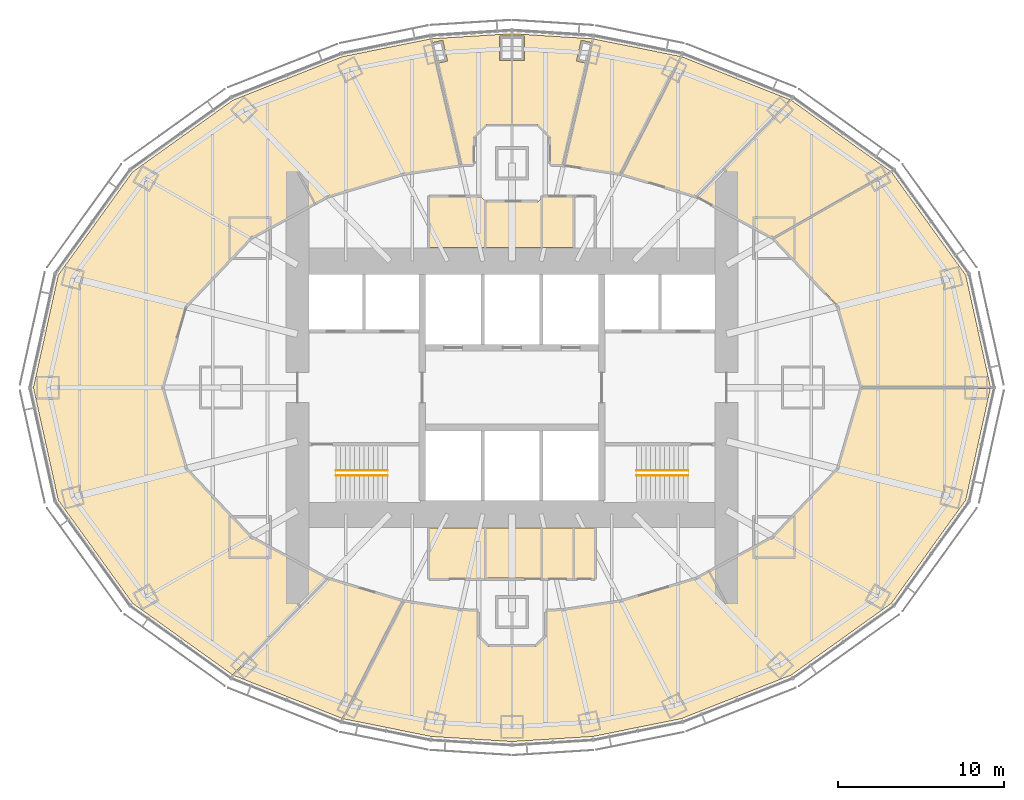
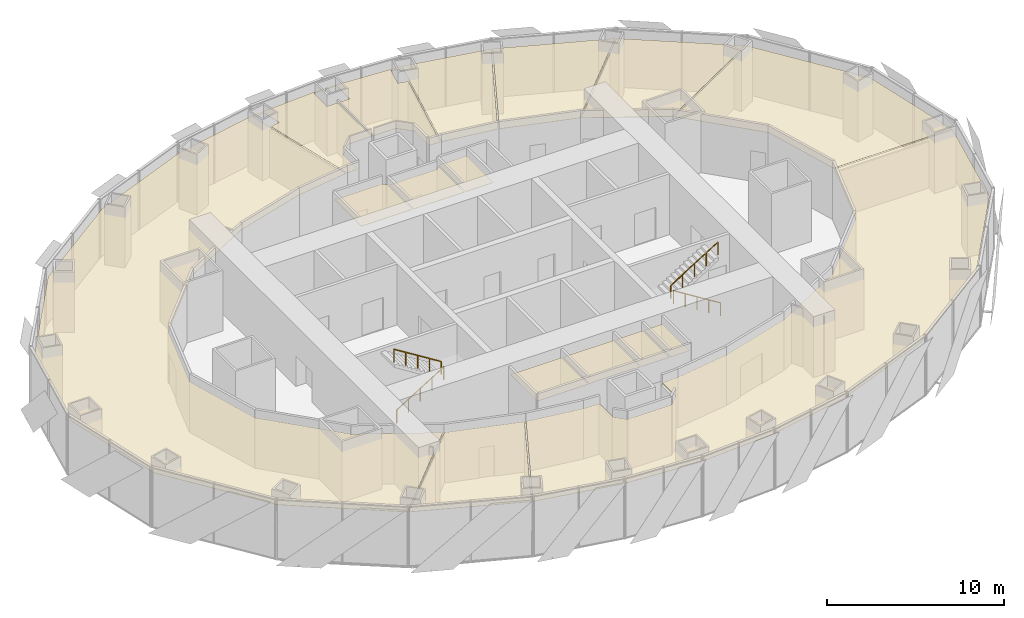
# One storey, part 18 of 18: 16 coverings, 4 railings.
"""IFC4 building model written with IfcOpenShell, lengths in metres."""

import ifcopenshell
import ifcopenshell.guid

model = None  # the IFC model being written
_history = None  # IfcOwnerHistory: only IFC2X3 demands one
_inside = {}  # id of a spatial element -> (the spatial element, [elements in it])
_under = {}  # id of a project, library or spatial element -> (it, [spatial elements below it])
_declared = {}  # id of a project -> (the project, [libraries it declares])
_typed = {}  # id of a type object -> (the type object, [elements of that type])
_made_of = {}  # id of a material, layer set ... -> (it, [elements and type objects made of it])


def new_model(schema):
    """Start an empty IFC model of exactly this schema.

    Asked for "IFC4X3", IfcOpenShell would pick the latest addendum, in which some entities
    have other attributes; the version numbers below select the first issue.
    IFC2X3 requires an IfcOwnerHistory on every rooted entity: one is made here for all.
    """
    global model, _history
    if schema == "IFC4X3":
        model = ifcopenshell.file(schema_version=(4, 3, 0, 0))
    else:
        model = ifcopenshell.file(schema=schema)
    _inside.clear()
    _under.clear()
    _declared.clear()
    _typed.clear()
    _made_of.clear()
    _history = None
    if model.schema == "IFC2X3":
        org = make("IfcOrganization", Name="unknown")
        user = make(
            "IfcPersonAndOrganization",
            ThePerson=make("IfcPerson", FamilyName="unknown"),
            TheOrganization=org,
        )
        app = make(
            "IfcApplication",
            ApplicationDeveloper=org,
            Version="unknown",
            ApplicationFullName="unknown",
            ApplicationIdentifier="unknown",
        )
        _history = make(
            "IfcOwnerHistory",
            OwningUser=user,
            OwningApplication=app,
            ChangeAction="ADDED",
            CreationDate=0,
        )
    return model


def make(cls, **values):
    """One entity of the class cls with the attributes given. An attribute that is None is left unset."""
    return model.create_entity(
        cls, **{name: value for name, value in values.items() if value is not None}
    )


def rooted(cls, **values):
    """An entity with a GlobalId (a new one), such as an element, a storey or a relation."""
    return make(cls, GlobalId=ifcopenshell.guid.new(), OwnerHistory=_history, **values)


def si_unit(unit_type, name, prefix=None):
    """IfcSIUnit, for example si_unit("LENGTHUNIT", "METRE", prefix="MILLI")."""
    return make("IfcSIUnit", UnitType=unit_type, Prefix=prefix, Name=name)


def assignment(units):
    """IfcUnitAssignment: the units of a project."""
    return None if units is None else make("IfcUnitAssignment", Units=units)


def point(xyz):
    """IfcCartesianPoint."""
    return None if xyz is None else make("IfcCartesianPoint", Coordinates=xyz)


def direction(xyz):
    """IfcDirection."""
    return None if xyz is None else make("IfcDirection", DirectionRatios=xyz)


def frame(location, z_axis=None, x_axis=None):
    """IfcAxis2Placement3D, a coordinate frame: its origin and axes. An axis left out is left unset."""
    return make(
        "IfcAxis2Placement3D",
        Location=point(location),
        Axis=direction(z_axis),
        RefDirection=direction(x_axis),
    )


def frame_2d(location, x_axis=None):
    """IfcAxis2Placement2D, a coordinate frame in the plane: its origin and x axis."""
    return make(
        "IfcAxis2Placement2D", Location=point(location), RefDirection=direction(x_axis)
    )


def origin():
    """The frame at (0, 0, 0) with its axes left unset."""
    return frame((0.0, 0.0, 0.0))


def origin_2d():
    """The frame at (0, 0) in the plane with its x axis left unset."""
    return frame_2d((0.0, 0.0))


def place(relative_to, where):
    """IfcLocalPlacement: puts the frame where relative to a parent placement (None: the world)."""
    return make(
        "IfcLocalPlacement", PlacementRelTo=relative_to, RelativePlacement=where
    )


def context(
    kind, dimensions, precision=None, world=None, true_north=None, identifier=None
):
    """IfcGeometricRepresentationContext, for example the 3D "Model" context."""
    return make(
        "IfcGeometricRepresentationContext",
        ContextIdentifier=identifier,
        ContextType=kind,
        CoordinateSpaceDimension=dimensions,
        Precision=precision,
        WorldCoordinateSystem=world,
        TrueNorth=true_north,
    )


def subcontext(parent, identifier, kind, view, scale=None):
    """IfcGeometricRepresentationSubContext, for example "Body" below "Model"."""
    return make(
        "IfcGeometricRepresentationSubContext",
        ContextIdentifier=identifier,
        ContextType=kind,
        ParentContext=parent,
        TargetScale=scale,
        TargetView=view,
    )


def project(units=None, contexts=None):
    """IfcProject with its units and contexts."""
    return rooted(
        "IfcProject",
        Name="project",
        RepresentationContexts=contexts,
        UnitsInContext=assignment(units),
    )


def spatial(cls, under=None, at=None, **own):
    """A site, building, storey or space (cls), placed at a placement, below another one or the project."""
    s = rooted(cls, ObjectPlacement=at, **own)
    if under is not None:
        _under.setdefault(under.id(), (under, []))[1].append(s)
    return s


def polyline(points):
    """IfcPolyline through the points."""
    return make("IfcPolyline", Points=[point(p) for p in points])


def profile(cls, at=None, kind="AREA", **sizes):
    """A parametric profile (cls). Its sizes go by their IFC names, for example OverallWidth=200.0."""
    return make(cls, ProfileType=kind, Position=at, **sizes)


def circle(**sizes):
    """IfcCircleProfileDef."""
    return profile("IfcCircleProfileDef", **sizes)


def outline(outer, holes=None, kind="AREA"):
    """IfcArbitraryClosedProfileDef: a profile drawn as a closed curve; with holes, ...WithVoids."""
    if holes is None:
        return make("IfcArbitraryClosedProfileDef", ProfileType=kind, OuterCurve=outer)
    return make(
        "IfcArbitraryProfileDefWithVoids",
        ProfileType=kind,
        OuterCurve=outer,
        InnerCurves=holes,
    )


def extrude(swept, where, along, depth):
    """IfcExtrudedAreaSolid: the profile swept, set in the frame where, extruded along a direction by depth."""
    return make(
        "IfcExtrudedAreaSolid",
        SweptArea=swept,
        Position=where,
        ExtrudedDirection=direction(along),
        Depth=depth,
    )


def shape(context_of_items, identifier, shape_type, items):
    """IfcShapeRepresentation: the items that make up one representation, for example the "Body"."""
    return make(
        "IfcShapeRepresentation",
        ContextOfItems=context_of_items,
        RepresentationIdentifier=identifier,
        RepresentationType=shape_type,
        Items=items,
    )


def material(Name=None, Category=None):
    """IfcMaterial."""
    return make("IfcMaterial", Name=Name, Category=Category)


def layer(
    of_material, thickness, ventilated=None, Name=None, Category=None, Priority=None
):
    """IfcMaterialLayer: one layer of a wall or slab, of a material (None: an air gap)."""
    return make(
        "IfcMaterialLayer",
        Material=of_material,
        LayerThickness=thickness,
        IsVentilated=ventilated,
        Name=Name,
        Category=Category,
        Priority=Priority,
    )


def layer_set(layers, Name=None):
    """IfcMaterialLayerSet."""
    return make("IfcMaterialLayerSet", MaterialLayers=layers, LayerSetName=Name)


def made_of(thing, what):
    """Note that an element or type object is made of a material, layer set ...; save() writes the relation."""
    if what is not None:
        _made_of.setdefault(what.id(), (what, []))[1].append(thing)
    return thing


def type_object(cls, material=None, **own):
    """A type object (cls), such as IfcWallType, which elements share."""
    return made_of(rooted(cls, **own), material)


def element(
    cls,
    number,
    at=None,
    inside=None,
    cuts=None,
    type_object=None,
    material=None,
    context=None,
    identifier="Body",
    shape_type=None,
    held_by="IfcProductDefinitionShape",
    body=None,
    shapes=None,
    **own,
):
    """One element of the class cls, such as IfcWall. Its Tag is "e" and its number.

    at: its placement. inside: the storey or other place that contains it. cuts: it is an
    opening in that element (IfcRelVoidsElement). A single representation is given by context,
    identifier, shape_type and body (its items); several are given by shapes. held_by: the class
    of the entity that holds the representations. save() writes the other relations.
    """
    e = rooted(cls, Tag="e%d" % number, ObjectPlacement=at, **own)
    if body is not None:
        shapes = [shape(context, identifier, shape_type, body)]
    if shapes is not None:
        e.Representation = make(held_by, Representations=shapes)
    if inside is not None:
        _inside.setdefault(inside.id(), (inside, []))[1].append(e)
    if cuts is not None:
        rooted(
            "IfcRelVoidsElement", RelatingBuildingElement=cuts, RelatedOpeningElement=e
        )
    if type_object is not None:
        _typed.setdefault(type_object.id(), (type_object, []))[1].append(e)
    return made_of(e, material)


def aggregate(whole, parts):
    """IfcRelAggregates: a whole, such as a stair, and the parts it consists of."""
    return rooted("IfcRelAggregates", RelatingObject=whole, RelatedObjects=parts)


def save(model, path):
    """Write the relations noted so far, then the file.

    IfcRelAggregates (storeys below a building ...), IfcRelContainedInSpatialStructure (elements
    in a storey), IfcRelDefinesByType, IfcRelAssociatesMaterial and IfcRelDeclares: one each for
    every whole, place, type object, material and project.
    """
    for whole, parts in _under.values():
        aggregate(whole, parts)
    for where, things in _inside.values():
        rooted(
            "IfcRelContainedInSpatialStructure",
            RelatedElements=things,
            RelatingStructure=where,
        )
    for kind, things in _typed.values():
        rooted("IfcRelDefinesByType", RelatedObjects=things, RelatingType=kind)
    for what, things in _made_of.values():
        rooted("IfcRelAssociatesMaterial", RelatedObjects=things, RelatingMaterial=what)
    for by, libraries in _declared.values():
        rooted("IfcRelDeclares", RelatingContext=by, RelatedDefinitions=libraries)
    model.write(path)


model = new_model("IFC4")

# Units and contexts
model_context = context("Model", 3, precision=1e-05, world=origin(), true_north=direction((0.0, 1.0)))
body_context = subcontext(model_context, "Body", "Model", "MODEL_VIEW")
ifc_project = project(units=[si_unit("LENGTHUNIT", "METRE"), si_unit("AREAUNIT", "SQUARE_METRE"), si_unit("VOLUMEUNIT", "CUBIC_METRE"), si_unit("PLANEANGLEUNIT", "RADIAN"), si_unit("MASSUNIT", "GRAM", prefix="KILO")], contexts=[model_context])

# Site, building, storey
site_placement = place(None, origin())
site = spatial("IfcSite", under=ifc_project, at=site_placement, CompositionType="ELEMENT")
building_placement = place(site_placement, origin())
building = spatial("IfcBuilding", under=site, at=building_placement, Name="Lantaw Convention Tower", CompositionType="ELEMENT")
storey_placement = place(building_placement, frame((0.0, 0.0, 184.60009765625)))
storey = spatial("IfcBuildingStorey", under=building, at=storey_placement, Name="L43", CompositionType="ELEMENT", Elevation=184.60009765625)

# Railings
ifc_material_1 = material(Name="Stainless steel", Category="steel")
railing_type = type_object("IfcRailingType", Name="Stair handrail", PredefinedType="HANDRAIL", material=ifc_material_1)
railing_1_placement = place(storey_placement, frame((-10.580078125, -5.280029296875, 0.1748046875)))
element("IfcRailing", 1, at=railing_1_placement, inside=storey, type_object=railing_type, Name="Stair handrail S1", PredefinedType="HANDRAIL", context=body_context, shape_type="SweptSolid", body=[
    extrude(circle(Radius=0.02392578125, at=origin_2d()), frame((0.0, 0.0, 0.8759765625), z_axis=(0.847998304005, 0.0, 0.529998940003), x_axis=(0.0, 1.0, 0.0)), (0.0, 0.0, 1.0), 3.632080078125),
    extrude(circle(Radius=0.02099609375, at=origin_2d()), origin(), (0.0, 0.0, 1.0), 0.851806640625),
    extrude(circle(Radius=0.02099609375, at=origin_2d()), frame((0.77001953125, 0.0, 0.481201171875)), (0.0, 0.0, 1.0), 0.851806640625),
    extrude(circle(Radius=0.02099609375, at=origin_2d()), frame((1.5400390625, 0.0, 0.96240234375)), (0.0, 0.0, 1.0), 0.851806640625),
    extrude(circle(Radius=0.02099609375, at=origin_2d()), frame((2.31005859375, 0.0, 1.44384765625)), (0.0, 0.0, 1.0), 0.851806640625),
    extrude(circle(Radius=0.02099609375, at=origin_2d()), frame((3.080078125, 0.0, 1.925048828125)), (0.0, 0.0, 1.0), 0.851806640625),
])
for number, where, name in (
    (2, (-7.5, -4.97998046875, 2.27490234375), "Stair handrail S1"),
    (3, (10.580078125, -5.280029296875, 0.1748046875), "Stair handrail S2"),
):
    element("IfcRailing", number, at=place(storey_placement, frame(where)), inside=storey, type_object=railing_type, Name=name, PredefinedType="HANDRAIL", context=body_context, shape_type="SweptSolid", body=[
        extrude(circle(Radius=0.02392578125, at=origin_2d()), frame((0.0, 0.0, 0.8759765625), z_axis=(-0.847998304005, 0.0, 0.529998940003), x_axis=(0.0, -1.0, 0.0)), (0.0, 0.0, 1.0), 3.632080078125),
        extrude(circle(Radius=0.02099609375, at=origin_2d()), origin(), (0.0, 0.0, 1.0), 0.851806640625),
        extrude(circle(Radius=0.02099609375, at=origin_2d()), frame((-0.77001953125, 0.0, 0.481201171875)), (0.0, 0.0, 1.0), 0.851806640625),
        extrude(circle(Radius=0.02099609375, at=origin_2d()), frame((-1.5400390625, 0.0, 0.96240234375)), (0.0, 0.0, 1.0), 0.851806640625),
        extrude(circle(Radius=0.02099609375, at=origin_2d()), frame((-2.31005859375, 0.0, 1.44384765625)), (0.0, 0.0, 1.0), 0.851806640625),
        extrude(circle(Radius=0.02099609375, at=origin_2d()), frame((-3.080078125, 0.0, 1.925048828125)), (0.0, 0.0, 1.0), 0.851806640625),
    ])
railing_2_placement = place(storey_placement, frame((7.5, -4.97998046875, 2.27490234375)))
element("IfcRailing", 4, at=railing_2_placement, inside=storey, type_object=railing_type, Name="Stair handrail S2", PredefinedType="HANDRAIL", context=body_context, shape_type="SweptSolid", body=[
    extrude(circle(Radius=0.02392578125, at=origin_2d()), frame((0.0, 0.0, 0.8759765625), z_axis=(0.847998304005, 0.0, 0.529998940003), x_axis=(0.0, 1.0, 0.0)), (0.0, 0.0, 1.0), 3.632080078125),
    extrude(circle(Radius=0.02099609375, at=origin_2d()), origin(), (0.0, 0.0, 1.0), 0.851806640625),
    extrude(circle(Radius=0.02099609375, at=origin_2d()), frame((0.77001953125, 0.0, 0.481201171875)), (0.0, 0.0, 1.0), 0.851806640625),
    extrude(circle(Radius=0.02099609375, at=origin_2d()), frame((1.5400390625, 0.0, 0.96240234375)), (0.0, 0.0, 1.0), 0.851806640625),
    extrude(circle(Radius=0.02099609375, at=origin_2d()), frame((2.31005859375, 0.0, 1.44384765625)), (0.0, 0.0, 1.0), 0.851806640625),
    extrude(circle(Radius=0.02099609375, at=origin_2d()), frame((3.080078125, 0.0, 1.925048828125)), (0.0, 0.0, 1.0), 0.851806640625),
])

# Coverings
ifc_material_2 = material(Name="Gypsum board on steel suspension grid", Category="steel")
ifc_layer = layer(ifc_material_2, 0.02001953125)
ifc_layer_set = layer_set([ifc_layer], Name="Suspended ceiling")
covering_type = type_object("IfcCoveringType", Name="Suspended ceiling", PredefinedType="CEILING", material=ifc_layer_set)
covering_1_placement = place(storey_placement, frame((0.0, 0.0, 3.449951171875)))
element("IfcCovering", 5, at=covering_1_placement, inside=storey, type_object=covering_type, Name="Female WC ceiling", PredefinedType="CEILING", context=body_context, shape_type="SweptSolid", body=[
    extrude(outline(polyline([(-4.9599609375, 11.471923828125), (-4.9599609375, 8.43994140625), (-1.639892578125, 8.43994140625), (-1.639892578125, 11.26611328125), (-1.845947265625, 11.471923828125), (-4.9599609375, 11.471923828125)])), origin(), (0.0, 0.0, 1.0), 0.02001953125),
])
covering_2_placement = place(storey_placement, frame((0.0, 0.0, 3.449951171875)))
element("IfcCovering", 6, at=covering_2_placement, inside=storey, type_object=covering_type, Name="Male WC ceiling", PredefinedType="CEILING", context=body_context, shape_type="SweptSolid", body=[
    extrude(outline(polyline([(-1.56005859375, 11.186279296875), (-1.56005859375, 8.43994140625), (1.760009765625, 8.43994140625), (1.760009765625, 11.38623046875), (1.548828125, 11.175048828125), (-1.548828125, 11.175048828125), (-1.56005859375, 11.186279296875)])), origin(), (0.0, 0.0, 1.0), 0.02001953125),
])
covering_3_placement = place(storey_placement, frame((0.0, 0.0, 3.449951171875)))
element("IfcCovering", 7, at=covering_3_placement, inside=storey, type_object=covering_type, Name="Accessible WC ceiling", PredefinedType="CEILING", context=body_context, shape_type="SweptSolid", body=[
    extrude(outline(polyline([(1.840087890625, 11.466064453125), (1.840087890625, 8.43994140625), (3.659912109375, 8.43994140625), (3.659912109375, 11.471923828125), (1.845947265625, 11.471923828125), (1.840087890625, 11.466064453125)])), origin(), (0.0, 0.0, 1.0), 0.02001953125),
])
covering_4_placement = place(storey_placement, frame((0.0, 0.0, 3.449951171875)))
element("IfcCovering", 8, at=covering_4_placement, inside=storey, type_object=covering_type, Name="Female WC ceiling", PredefinedType="CEILING", context=body_context, shape_type="SweptSolid", body=[
    extrude(outline(polyline([(-4.9599609375, -11.471923828125), (-1.639892578125, -11.471923828125), (-1.639892578125, -8.43994140625), (-4.9599609375, -8.43994140625), (-4.9599609375, -11.471923828125)])), origin(), (0.0, 0.0, 1.0), 0.02001953125),
])
covering_5_placement = place(storey_placement, frame((0.0, 0.0, 3.449951171875)))
element("IfcCovering", 9, at=covering_5_placement, inside=storey, type_object=covering_type, Name="Male WC ceiling", PredefinedType="CEILING", context=body_context, shape_type="SweptSolid", body=[
    extrude(outline(polyline([(-1.56005859375, -8.43994140625), (-1.56005859375, -11.471923828125), (-1.47802734375, -11.471923828125), (-1.441162109375, -11.43505859375), (1.441162109375, -11.43505859375), (1.47802734375, -11.471923828125), (1.760009765625, -11.471923828125), (1.760009765625, -8.43994140625), (-1.56005859375, -8.43994140625)])), origin(), (0.0, 0.0, 1.0), 0.02001953125),
])
covering_6_placement = place(storey_placement, frame((0.0, 0.0, 3.449951171875)))
element("IfcCovering", 10, at=covering_6_placement, inside=storey, type_object=covering_type, Name="Accessible WC ceiling", PredefinedType="CEILING", context=body_context, shape_type="SweptSolid", body=[
    extrude(outline(polyline([(1.840087890625, -11.471923828125), (3.659912109375, -11.471923828125), (3.659912109375, -8.43994140625), (1.840087890625, -8.43994140625), (1.840087890625, -11.471923828125)])), origin(), (0.0, 0.0, 1.0), 0.02001953125),
])
covering_7_placement = place(storey_placement, frame((0.0, 0.0, 3.449951171875)))
element("IfcCovering", 11, at=covering_7_placement, inside=storey, type_object=covering_type, Name="Pantry ceiling", PredefinedType="CEILING", context=body_context, shape_type="SweptSolid", body=[
    extrude(outline(polyline([(3.739990234375, -11.471923828125), (4.9599609375, -11.471923828125), (4.9599609375, -8.43994140625), (3.739990234375, -8.43994140625), (3.739990234375, -11.471923828125)])), origin(), (0.0, 0.0, 1.0), 0.02001953125),
])
covering_8_placement = place(storey_placement, frame((0.0, 0.0, 3.449951171875)))
element("IfcCovering", 12, at=covering_8_placement, inside=storey, type_object=covering_type, Name="Boardroom ceiling", PredefinedType="CEILING", context=body_context, shape_type="SweptSolid", body=[
    extrude(outline(polyline([(21.030029296875, 0.0400390625), (28.77099609375, 0.0400390625), (27.286865234375, 6.763671875), (22.832275390625, 12.947265625), (15.760009765625, 8.959228515625), (19.61474609375, 4.902099609375), (21.030029296875, 0.0400390625)])), origin(), (0.0, 0.0, 1.0), 0.02001953125),
])
covering_9_placement = place(storey_placement, frame((0.0, 0.0, 3.449951171875)))
element("IfcCovering", 13, at=covering_9_placement, inside=storey, type_object=covering_type, Name="Meeting room ceiling", PredefinedType="CEILING", context=body_context, shape_type="SweptSolid", body=[
    extrude(outline(polyline([(15.6953125, 9.0146484375), (22.76953125, 13.003662109375), (16.802001953125, 17.274169921875), (11.1416015625, 11.4794921875), (15.6953125, 9.0146484375)])), origin(), (0.0, 0.0, 1.0), 0.02001953125),
])
covering_10_placement = place(storey_placement, frame((0.0, 0.0, 3.449951171875)))
element("IfcCovering", 14, at=covering_10_placement, inside=storey, type_object=covering_type, Name="Meeting room ceiling", PredefinedType="CEILING", context=body_context, shape_type="SweptSolid", body=[
    extrude(outline(polyline([(11.064453125, 11.514892578125), (16.726806640625, 17.311767578125), (10.217041015625, 19.893798828125), (6.594482421875, 12.853759765625), (11.064453125, 11.514892578125)])), origin(), (0.0, 0.0, 1.0), 0.02001953125),
])
covering_11_placement = place(storey_placement, frame((0.0, 0.0, 3.449951171875)))
element("IfcCovering", 15, at=covering_11_placement, inside=storey, type_object=covering_type, Name="Meeting room ceiling", PredefinedType="CEILING", context=body_context, shape_type="SweptSolid", body=[
    extrude(outline(polyline([(6.514404296875, 12.873046875), (10.13818359375, 19.91552734375), (4.899658203125, 20.970947265625), (3.1318359375, 13.38671875), (6.514404296875, 12.873046875)])), origin(), (0.0, 0.0, 1.0), 0.02001953125),
])
covering_12_placement = place(storey_placement, frame((0.0, 0.0, 3.449951171875)))
element("IfcCovering", 16, at=covering_12_placement, inside=storey, type_object=covering_type, Name="Training room ceiling", PredefinedType="CEILING", context=body_context, shape_type="SweptSolid", body=[
    extrude(outline(polyline([(2.324951171875, 15.048828125), (2.324951171875, 13.4296875), (3.051513671875, 13.395263671875), (4.475341796875, 19.50244140625), (3.87744140625, 19.640380859375), (4.16552734375, 20.8876953125), (4.765869140625, 20.7490234375), (4.81982421875, 20.98095703125), (0.0400390625, 21.281982421875), (0.0400390625, 21.139892578125), (0.739990234375, 21.139892578125), (0.739990234375, 19.659912109375), (0.0400390625, 19.659912109375), (0.0400390625, 15.824951171875), (1.548828125, 15.824951171875), (2.324951171875, 15.048828125)])), origin(), (0.0, 0.0, 1.0), 0.02001953125),
])
covering_13_placement = place(storey_placement, frame((0.0, 0.0, 3.449951171875)))
element("IfcCovering", 17, at=covering_13_placement, inside=storey, type_object=covering_type, Name="Pantry ceiling", PredefinedType="CEILING", context=body_context, shape_type="SweptSolid", body=[
    extrude(outline(polyline([(-4.475341796875, 19.50244140625), (-3.051513671875, 13.395263671875), (-2.324951171875, 13.4296875), (-2.324951171875, 15.048828125), (-1.548828125, 15.824951171875), (-0.0400390625, 15.824951171875), (-0.0400390625, 19.659912109375), (-0.739990234375, 19.659912109375), (-0.739990234375, 21.139892578125), (-0.0400390625, 21.139892578125), (-0.0400390625, 21.281982421875), (-4.81982421875, 20.98095703125), (-4.765869140625, 20.7490234375), (-4.16552734375, 20.8876953125), (-3.87744140625, 19.640380859375), (-4.475341796875, 19.50244140625)])), origin(), (0.0, 0.0, 1.0), 0.02001953125),
])
covering_14_placement = place(storey_placement, frame((0.0, 0.0, 3.449951171875)))
element("IfcCovering", 18, at=covering_14_placement, inside=storey, type_object=covering_type, Name="Open office ceiling", PredefinedType="CEILING", context=body_context, shape_type="SweptSolid", body=[
    extrude(outline(polyline([(-3.1318359375, 13.38671875), (-4.899658203125, 20.970947265625), (-10.1865234375, 19.90576171875), (-16.778076171875, 17.29150390625), (-22.815185546875, 12.970947265625), (-27.286865234375, 6.763671875), (-28.77978515625, 0.0), (-27.286865234375, -6.763671875), (-22.815185546875, -12.970947265625), (-16.802001953125, -17.274169921875), (-11.1416015625, -11.4794921875), (-15.72021484375, -9.0009765625), (-19.61474609375, -4.902099609375), (-21.041748046875, 0.0), (-19.61474609375, 4.902099609375), (-15.72021484375, 9.0009765625), (-11.091552734375, 11.506591796875), (-6.545654296875, 12.868408203125), (-3.1318359375, 13.38671875)])), origin(), (0.0, 0.0, 1.0), 0.02001953125),
])
covering_15_placement = place(storey_placement, frame((0.0, 0.0, 3.449951171875)))
element("IfcCovering", 19, at=covering_15_placement, inside=storey, type_object=covering_type, Name="Quiet room ceiling", PredefinedType="CEILING", context=body_context, shape_type="SweptSolid", body=[
    extrude(outline(polyline([(-11.064453125, -11.514892578125), (-16.726806640625, -17.311767578125), (-10.217041015625, -19.893798828125), (-6.594482421875, -12.853759765625), (-11.064453125, -11.514892578125)])), origin(), (0.0, 0.0, 1.0), 0.02001953125),
])
covering_16_placement = place(storey_placement, frame((0.0, 0.0, 3.449951171875)))
element("IfcCovering", 20, at=covering_16_placement, inside=storey, type_object=covering_type, Name="Open office ceiling", PredefinedType="CEILING", context=body_context, shape_type="SweptSolid", body=[
    extrude(outline(polyline([(-3.0869140625, -13.3935546875), (-6.514404296875, -12.873046875), (-10.13818359375, -19.91552734375), (-4.864501953125, -20.978271484375), (0.0, -21.28466796875), (4.864501953125, -20.978271484375), (10.1865234375, -19.90576171875), (16.778076171875, -17.29150390625), (22.815185546875, -12.970947265625), (27.286865234375, -6.763671875), (28.77099609375, -0.0400390625), (21.030029296875, -0.0400390625), (19.61474609375, -4.902099609375), (15.72021484375, -9.0009765625), (11.091552734375, -11.506591796875), (6.545654296875, -12.868408203125), (3.0869140625, -13.3935546875), (2.06494140625, -13.442138671875), (2.06494140625, -14.941162109375), (1.441162109375, -15.56494140625), (-1.441162109375, -15.56494140625), (-2.06494140625, -14.941162109375), (-2.06494140625, -13.442138671875), (-3.0869140625, -13.3935546875)])), origin(), (0.0, 0.0, 1.0), 0.02001953125),
])

save(model, "model.ifc")
